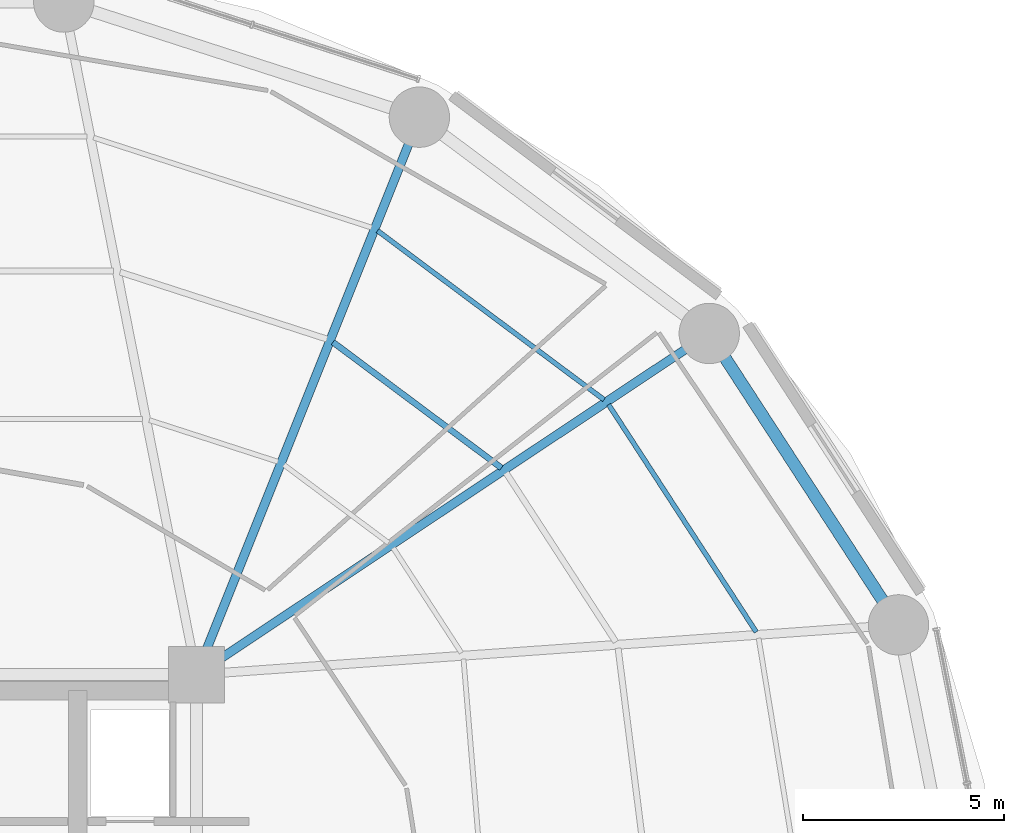
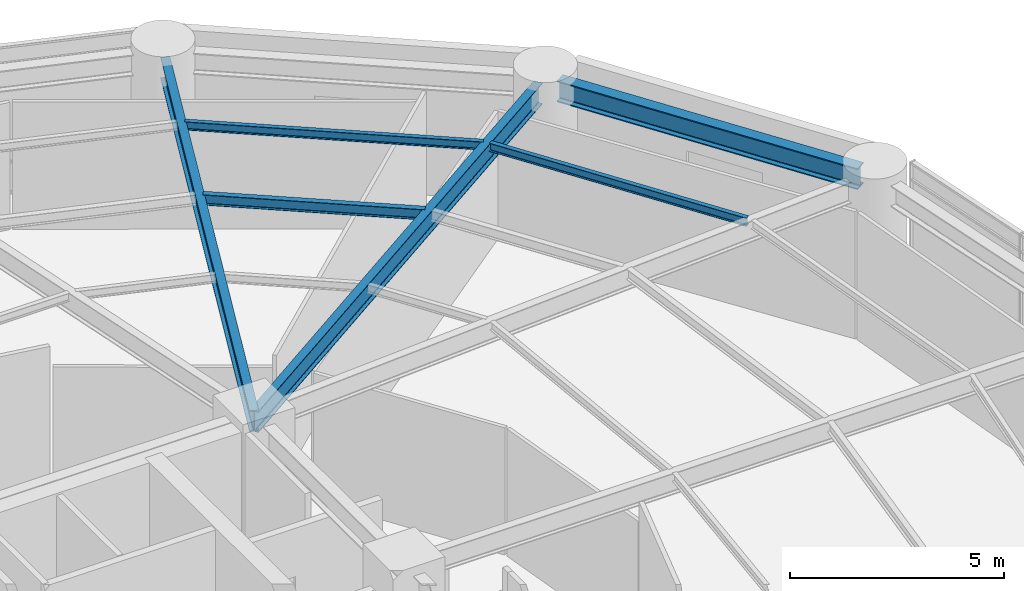
# One storey, part 30 of 46: 6 beams.
"""IFC4 building model written with IfcOpenShell, lengths in metres."""

from ifc_helpers import new_model, si_unit, direction, frame, origin, origin_2d, place, context, subcontext, project, spatial, i_section, extrude, material, material_profile, profile_set, type_object, element, save


model = new_model("IFC4")

# Units and contexts
model_context = context("Model", 3, precision=1e-05, world=origin(), true_north=direction((0.0, 1.0)))
body_context = subcontext(model_context, "Body", "Model", "MODEL_VIEW")
ifc_project = project(units=[si_unit("LENGTHUNIT", "METRE"), si_unit("AREAUNIT", "SQUARE_METRE"), si_unit("VOLUMEUNIT", "CUBIC_METRE"), si_unit("PLANEANGLEUNIT", "RADIAN"), si_unit("MASSUNIT", "GRAM", prefix="KILO")], contexts=[model_context])

# Site, building, storey
site_placement = place(None, origin())
site = spatial("IfcSite", under=ifc_project, at=site_placement, CompositionType="ELEMENT")
building_placement = place(site_placement, origin())
building = spatial("IfcBuilding", under=site, at=building_placement, Name="Kelanora Arch Commons", CompositionType="ELEMENT")
storey_placement = place(building_placement, frame((0.0, 0.0, 18.0)))
storey = spatial("IfcBuildingStorey", under=building, at=storey_placement, Name="L04", CompositionType="ELEMENT", Elevation=18.0)

# Beams
ifc_material = material(Name="Steel S355", Category="steel")
ifc_material_profile_1 = material_profile(ifc_material, i_section(OverallWidth=0.14990234375, OverallDepth=0.300048828125, WebThickness=0.007080078125, FlangeThickness=0.0107421875, FilletRadius=0.014892578125, at=origin_2d()), Name="IPE300")
ifc_profile_set_1 = profile_set([ifc_material_profile_1], Name="Steel S355")
beam_type_1 = type_object("IfcBeamType", Name="BM-JST-01", PredefinedType="JOIST", material=ifc_profile_set_1)
beam_1_placement = place(storey_placement, frame((89.57861328125, 70.1376953125, 4.090087890625), z_axis=(-0.801478251559, 0.598023922831, 0.0), x_axis=(-0.598023922831, -0.801478251559, 0.0)))
element("IfcBeam", 1, at=beam_1_placement, inside=storey, type_object=beam_type_1, Name="Secondary Chord Joist BJB-04 L04", PredefinedType="JOIST", context=body_context, shape_type="SweptSolid", body=[
    extrude(i_section(OverallWidth=0.14990234375, OverallDepth=0.300048828125, WebThickness=0.007080078125, FlangeThickness=0.0107421875, FilletRadius=0.014892578125, at=origin_2d()), origin(), (0.0, 0.0, 1.0), 5.223388671875),
])
ifc_material_profile_2 = material_profile(ifc_material, i_section(OverallWidth=0.1201171875, OverallDepth=0.239990234375, WebThickness=0.006103515625, FlangeThickness=0.009765625, FilletRadius=0.014892578125, at=origin_2d()), Name="IPE240")
ifc_profile_set_2 = profile_set([ifc_material_profile_2], Name="Steel S355")
beam_type_2 = type_object("IfcBeamType", Name="BM-JST-02", PredefinedType="JOIST", material=ifc_profile_set_2)
beam_2_placement = place(storey_placement, frame((95.9111328125, 66.059814453125, 4.1201171875), z_axis=(-0.544550165372, 0.838728273873, 0.0), x_axis=(-0.838728273873, -0.544550165372, 0.0)))
element("IfcBeam", 2, at=beam_2_placement, inside=storey, type_object=beam_type_2, Name="Secondary Chord Joist BJC-02 L04", PredefinedType="JOIST", context=body_context, shape_type="SweptSolid", body=[
    extrude(i_section(OverallWidth=0.1201171875, OverallDepth=0.239990234375, WebThickness=0.006103515625, FlangeThickness=0.009765625, FilletRadius=0.014892578125, at=origin_2d()), origin(), (0.0, 0.0, 1.0), 6.738037109375),
])
beam_3_placement = place(storey_placement, frame((92.12744140625, 71.83349609375, 4.1201171875), z_axis=(-0.80149131963, 0.598006408459, 0.0), x_axis=(-0.598006408459, -0.80149131963, 0.0)))
element("IfcBeam", 3, at=beam_3_placement, inside=storey, type_object=beam_type_2, Name="Secondary Chord Joist BJC-04 L04", PredefinedType="JOIST", context=body_context, shape_type="SweptSolid", body=[
    extrude(i_section(OverallWidth=0.1201171875, OverallDepth=0.239990234375, WebThickness=0.006103515625, FlangeThickness=0.009765625, FilletRadius=0.014892578125, at=origin_2d()), origin(), (0.0, 0.0, 1.0), 7.021240234375),
])
ifc_material_profile_3 = material_profile(ifc_material, i_section(OverallWidth=0.219970703125, OverallDepth=0.60009765625, WebThickness=0.011962890625, FlangeThickness=0.01904296875, FilletRadius=0.02392578125, at=origin_2d()), Name="IPE600")
ifc_profile_set_3 = profile_set([ifc_material_profile_3], Name="Steel S355")
beam_type_3 = type_object("IfcBeamType", Name="BM-RAD-Z1", PredefinedType="BEAM", material=ifc_profile_set_3)
beam_4_placement = place(storey_placement, frame((82.0, 65.0, 3.93994140625), z_axis=(0.832590897434, 0.553888434173, 0.0), x_axis=(-0.553888434173, 0.832590897434, 0.0)))
element("IfcBeam", 4, at=beam_4_placement, inside=storey, type_object=beam_type_3, Name="Radial Floor Girder BR-04 L04", PredefinedType="BEAM", context=body_context, shape_type="SweptSolid", body=[
    extrude(i_section(OverallWidth=0.219970703125, OverallDepth=0.60009765625, WebThickness=0.011962890625, FlangeThickness=0.01904296875, FilletRadius=0.02392578125, at=origin_2d()), origin(), (0.0, 0.0, 1.0), 14.9267578125),
])
beam_5_placement = place(storey_placement, frame((82.0, 65.0, 3.93994140625), z_axis=(0.37129803903, 0.928513740454, 0.0), x_axis=(-0.928513740454, 0.37129803903, 0.0)))
element("IfcBeam", 5, at=beam_5_placement, inside=storey, type_object=beam_type_3, Name="Radial Floor Girder BR-06 L04", PredefinedType="BEAM", context=body_context, shape_type="SweptSolid", body=[
    extrude(i_section(OverallWidth=0.219970703125, OverallDepth=0.60009765625, WebThickness=0.011962890625, FlangeThickness=0.01904296875, FilletRadius=0.02392578125, at=origin_2d()), origin(), (0.0, 0.0, 1.0), 14.540771484375),
])
ifc_material_profile_4 = material_profile(ifc_material, i_section(OverallWidth=0.300048828125, OverallDepth=0.60009765625, WebThickness=0.015380859375, FlangeThickness=0.030029296875, FilletRadius=0.027099609375, at=origin_2d()), Name="HEB600")
ifc_profile_set_4 = profile_set([ifc_material_profile_4], Name="Steel S355")
beam_type_4 = type_object("IfcBeamType", Name="BM-SPN-Z1", PredefinedType="SPANDREL", material=ifc_profile_set_4)
beam_6_placement = place(storey_placement, frame((99.239990234375, 66.554443359375, 3.93994140625), z_axis=(-0.54455786519, 0.838723274662, 0.0), x_axis=(-0.838723274662, -0.54455786519, 0.0)))
element("IfcBeam", 6, at=beam_6_placement, inside=storey, type_object=beam_type_4, Name="Perimeter Spandrel Beam BS-02 L04", PredefinedType="SPANDREL", context=body_context, shape_type="SweptSolid", body=[
    extrude(i_section(OverallWidth=0.300048828125, OverallDepth=0.60009765625, WebThickness=0.015380859375, FlangeThickness=0.030029296875, FilletRadius=0.027099609375, at=origin_2d()), origin(), (0.0, 0.0, 1.0), 7.875244140625),
])

save(model, "model.ifc")
